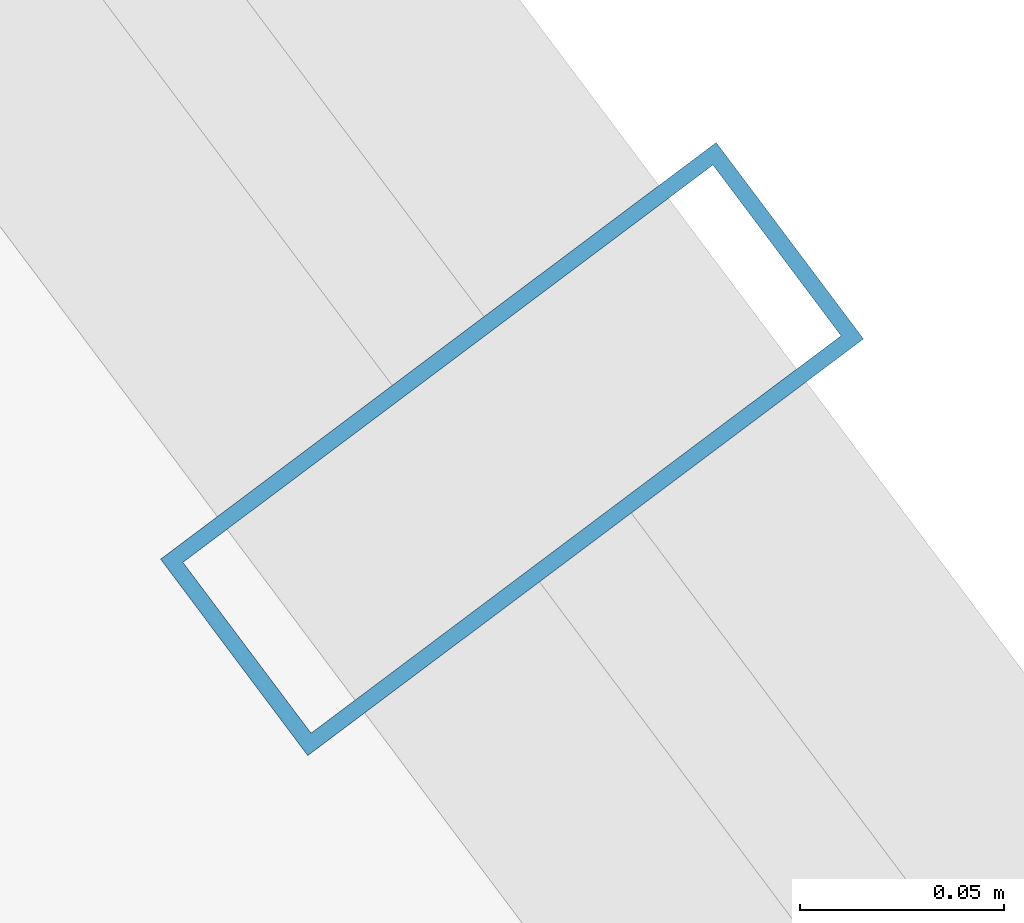
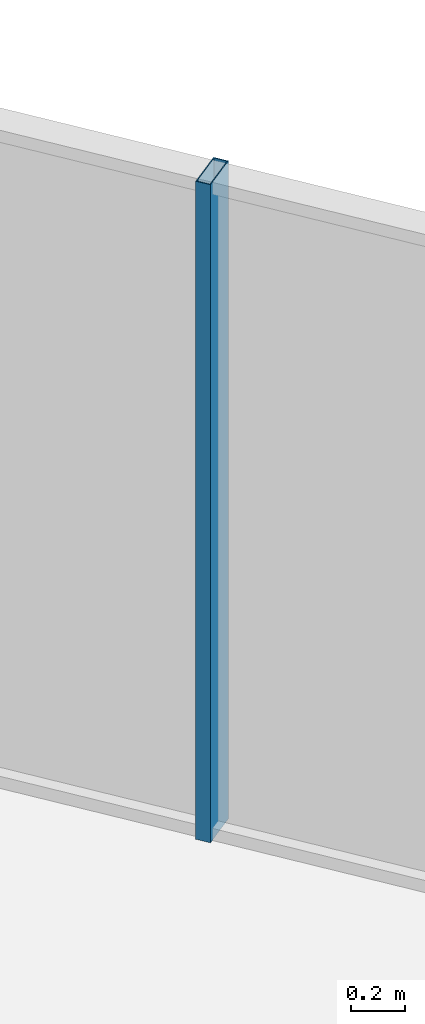
# One storey, part 29 of 37: 1 member, 1 element without a shape of its own.
"""IFC4 building model written with IfcOpenShell, lengths in metres."""

from ifc_helpers import new_model, si_unit, direction, frame, origin, origin_2d, place, context, subcontext, project, spatial, hollow_rectangle, extrude, source, transform, mapped, material, layer, layer_set, material_profile, profile_set, type_object, element, aggregate, save


model = new_model("IFC4")

# Units and contexts
model_context = context("Model", 3, precision=1e-05, world=origin(), true_north=direction((0.0, 1.0)))
body_context = subcontext(model_context, "Body", "Model", "MODEL_VIEW")
ifc_project = project(units=[si_unit("LENGTHUNIT", "METRE"), si_unit("AREAUNIT", "SQUARE_METRE"), si_unit("VOLUMEUNIT", "CUBIC_METRE"), si_unit("PLANEANGLEUNIT", "RADIAN"), si_unit("MASSUNIT", "GRAM", prefix="KILO")], contexts=[model_context])

# Site, building, storey
site_placement = place(None, origin())
site = spatial("IfcSite", under=ifc_project, at=site_placement, CompositionType="ELEMENT")
building_placement = place(site_placement, origin())
building = spatial("IfcBuilding", under=site, at=building_placement, Name="Veraguas Prism Commons", CompositionType="ELEMENT")
storey_placement = place(building_placement, frame((0.0, 0.0, 46.800048828125)))
storey = spatial("IfcBuildingStorey", under=building, at=storey_placement, Name="L12", CompositionType="ELEMENT", Elevation=46.800048828125)

# Curtain wall, member
ifc_material = material(Name="Anodised aluminium EN AW-6063 T6", Category="aluminium")
ifc_layer = layer(ifc_material, 0.169921875, Name="Unitised Flush Curtain Wall Zone 1", Category="aluminium")
ifc_layer_set = layer_set([ifc_layer], Name="Anodised aluminium EN AW-6063 T6")
curtain_wall_type = type_object("IfcCurtainWallType", Name="Unitised Flush Curtain Wall Zone 1", PredefinedType="NOTDEFINED", material=ifc_layer_set)
curtain_wall_placement = place(storey_placement, origin())
curtain_wall = element("IfcCurtainWall", 1, at=curtain_wall_placement, inside=storey, type_object=curtain_wall_type, Name="Tower Facade Curtain Wall L12-F1", PredefinedType="NOTDEFINED")
ifc_material_profile = material_profile(ifc_material, hollow_rectangle(XDim=0.06005859375, YDim=0.169921875, WallThickness=0.00390625, at=origin_2d()), Name="AL60X170X4")
ifc_profile_set = profile_set([ifc_material_profile], Name="Anodised aluminium EN AW-6063 T6")
member_type = type_object("IfcMemberType", Name="Curtain Wall Mullion Lower AL 60x170x4", PredefinedType="MULLION", material=ifc_profile_set)
shared_shape = source(origin(), body_context, "Body", "SweptSolid", [
    extrude(hollow_rectangle(XDim=0.06005859375, YDim=0.169921875, WallThickness=0.00390625, at=origin_2d()), origin(), (0.0, 0.0, 1.0), 3.0),
])
member_placement = place(storey_placement, frame((40.6298828125, 36.468017578125, 0.0), z_axis=(0.0, 0.0, 1.0), x_axis=(-0.599861793842, 0.800103635968, 0.0)))
member = element("IfcMember", 2, at=member_placement, type_object=member_type, Name="CW-Z1 Mullion 3", PredefinedType="MULLION", context=body_context, shape_type="MappedRepresentation", body=[
    mapped(shared_shape, transform((0.0, 0.0, 0.0), scale=1.0)),
])
aggregate(curtain_wall, [member])

save(model, "model.ifc")
